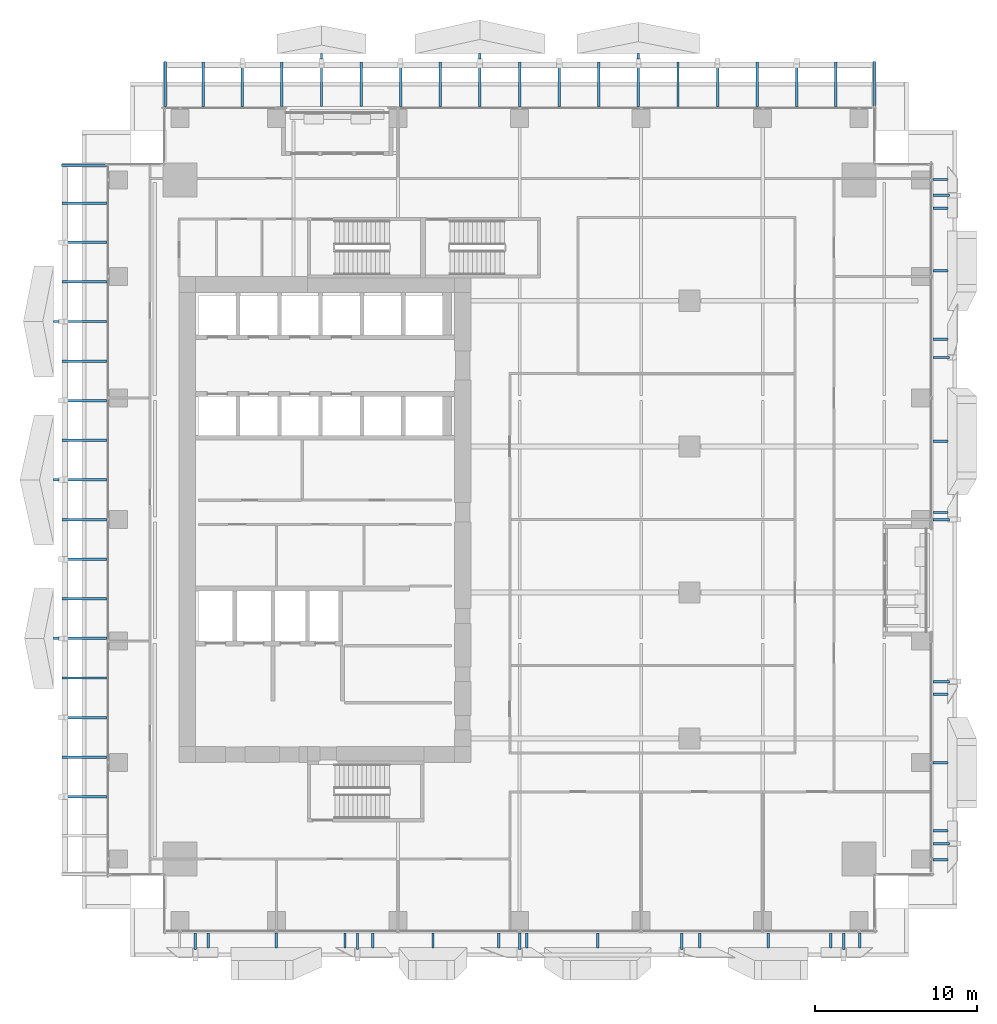
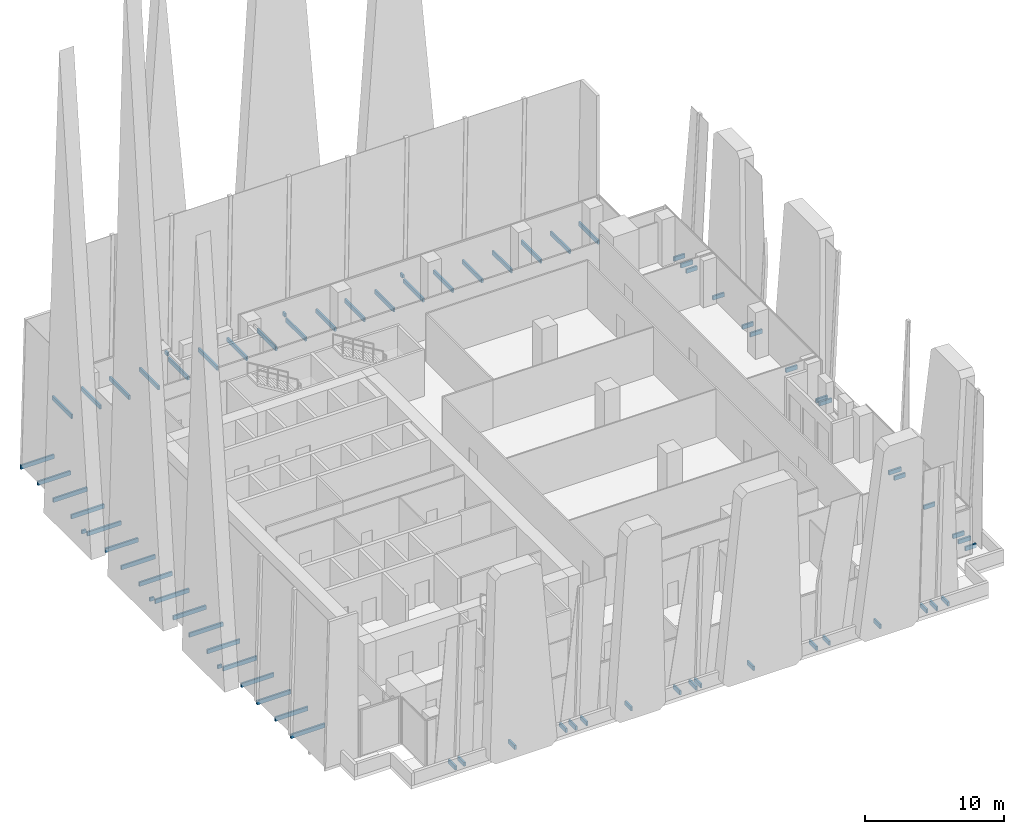
# One storey, part 32 of 37: 74 discrete accessories.
"""IFC4 building model written with IfcOpenShell, lengths in metres."""

from ifc_helpers import new_model, si_unit, direction, frame, origin, origin_2d, place, context, subcontext, project, spatial, rectangle, extrude, source, transform, mapped, material, type_object, element, save


model = new_model("IFC4")

# Units and contexts
model_context = context("Model", 3, precision=1e-05, world=origin(), true_north=direction((0.0, 1.0)))
body_context = subcontext(model_context, "Body", "Model", "MODEL_VIEW")
ifc_project = project(units=[si_unit("LENGTHUNIT", "METRE"), si_unit("AREAUNIT", "SQUARE_METRE"), si_unit("VOLUMEUNIT", "CUBIC_METRE"), si_unit("PLANEANGLEUNIT", "RADIAN"), si_unit("MASSUNIT", "GRAM", prefix="KILO")], contexts=[model_context])

# Site, building, storey
site_placement = place(None, origin())
site = spatial("IfcSite", under=ifc_project, at=site_placement, CompositionType="ELEMENT")
building_placement = place(site_placement, origin())
building = spatial("IfcBuilding", under=site, at=building_placement, Name="Khomas Fold Tower", CompositionType="ELEMENT")
storey_placement = place(building_placement, frame((0.0, 0.0, 101.5)))
storey = spatial("IfcBuildingStorey", under=building, at=storey_placement, Name="L21", CompositionType="ELEMENT", Elevation=101.5)

# Discrete accessories
ifc_material = material(Name="Stainless steel", Category="steel")
discrete_accessory_type = type_object("IfcDiscreteAccessoryType", Name="SK-Stainless steel stone bracket", PredefinedType="BRACKET", material=ifc_material)
shared_shape_1 = source(origin(), body_context, "Body", "SweptSolid", [
    extrude(rectangle(XDim=0.926513671875, YDim=0.14990234375, at=origin_2d()), origin(), (0.0, 0.0, 1.0), 0.360107421875),
])
for number, where, z_axis, x_axis, name in (
    (1, (11.984619140625, 1.036865234375, -0.30029296875), (0.0, 0.0, 1.0), (0.0, -1.0, 0.0), "Stone bracket L21 SS03-1-1"),
    (2, (21.66015625, 1.036865234375, -0.30029296875), (0.0, 0.0, 1.0), (0.0, -1.0, 0.0), "Stone bracket L21 SS06-2-1"),
    (3, (31.8291015625, 1.036865234375, -0.30029296875), (0.0, 0.0, 1.0), (0.0, -1.0, 0.0), "Stone bracket L21 SS09-3-1"),
    (4, (42.353515625, 1.036865234375, -0.30029296875), (0.0, 0.0, 1.0), (0.0, -1.0, 0.0), "Stone bracket L21 SS12-4-1"),
    (5, (52.963134765625, 11.984619140625, -0.30029296875), (0.0, 0.0, 1.0), (1.0, 0.0, 0.0), "Stone bracket L21 ES03-1-1"),
    (6, (52.963134765625, 31.8349609375, -0.30029296875), (0.0, 0.0, 1.0), (1.0, 0.0, 0.0), "Stone bracket L21 ES09-2-1"),
    (7, (52.963134765625, 42.353515625, -0.30029296875), (0.0, 0.0, 1.0), (1.0, 0.0, 0.0), "Stone bracket L21 ES12-3-1"),
    (8, (7.784912109375, 1.036865234375, -0.30029296875), (0.0, 0.0, 1.0), (0.0, -1.0, 0.0), "Stone bracket L21 SG099-3-1"),
    (9, (16.23095703125, 1.036865234375, -0.30029296875), (0.0, 0.0, 1.0), (0.0, -1.0, 0.0), "Stone bracket L21 SG100-4-1"),
    (10, (17.951904296875, 1.036865234375, -0.30029296875), (0.0, 0.0, 1.0), (0.0, -1.0, 0.0), "Stone bracket L21 SG101-6-1"),
    (11, (25.7138671875, 1.036865234375, -0.30029296875), (0.0, 0.0, 1.0), (0.0, -1.0, 0.0), "Stone bracket L21 SG102-7-1"),
    (12, (27.435302734375, 1.036865234375, -0.30029296875), (0.0, 0.0, 1.0), (0.0, -1.0, 0.0), "Stone bracket L21 SG103-9-1"),
    (13, (38.114013671875, 1.036865234375, -0.30029296875), (0.0, 0.0, 1.0), (0.0, -1.0, 0.0), "Stone bracket L21 SG105-11-1"),
    (14, (46.215087890625, 1.036865234375, -0.30029296875), (0.0, 0.0, 1.0), (0.0, -1.0, 0.0), "Stone bracket L21 SG106-12-1"),
    (15, (47.98486328125, 1.036865234375, -0.30029296875), (0.0, 0.0, 1.0), (0.0, -1.0, 0.0), "Stone bracket L21 SG107-14-1"),
    (16, (52.963134765625, 6.01513671875, -0.30029296875), (0.0, 0.0, 1.0), (1.0, 0.0, 0.0), "Stone bracket L21 EG098-1-1"),
    (17, (52.963134765625, 7.784912109375, -0.30029296875), (0.0, 0.0, 1.0), (1.0, 0.0, 0.0), "Stone bracket L21 EG099-3-1"),
    (18, (52.963134765625, 16.23095703125, -0.30029296875), (0.0, 0.0, 1.0), (1.0, 0.0, 0.0), "Stone bracket L21 EG100-4-1"),
    (19, (52.963134765625, 27.435546875, -0.30029296875), (0.0, 0.0, 1.0), (1.0, 0.0, 0.0), "Stone bracket L21 EG103-7-1"),
    (20, (52.963134765625, 38.114013671875, -0.30029296875), (0.0, 0.0, 1.0), (1.0, 0.0, 0.0), "Stone bracket L21 EG105-9-1"),
    (21, (52.963134765625, 46.215087890625, -0.30029296875), (0.0, 0.0, 1.0), (1.0, 0.0, 0.0), "Stone bracket L21 EG106-10-1"),
    (22, (52.963134765625, 47.98486328125, -0.30029296875), (0.0, 0.0, 1.0), (1.0, 0.0, 0.0), "Stone bracket L21 EG107-12-1"),
):
    element("IfcDiscreteAccessory", number, at=place(storey_placement, frame(where, z_axis=z_axis, x_axis=x_axis)), inside=storey, type_object=discrete_accessory_type, Name=name, PredefinedType="BRACKET", context=body_context, shape_type="MappedRepresentation", body=[
        mapped(shared_shape_1, transform((0.0, 0.0, 0.0))),
    ])
shared_shape_2 = source(origin(), body_context, "Body", "SweptSolid", [
    extrude(rectangle(XDim=1.021484375, YDim=0.14990234375, at=origin_2d()), origin(), (0.0, 0.0, 1.0), 0.360107421875),
])
for number, where, z_axis, x_axis, name in (
    (23, (7.0, 0.9892578125, -0.30029296875), (0.0, 0.0, 1.0), (0.0, -1.0, 0.0), "Stone bracket L21 SM099-2-1"),
    (24, (17.0, 0.9892578125, -0.30029296875), (0.0, 0.0, 1.0), (0.0, -1.0, 0.0), "Stone bracket L21 SM101-5-1"),
    (25, (27.0, 0.9892578125, -0.30029296875), (0.0, 0.0, 1.0), (0.0, -1.0, 0.0), "Stone bracket L21 SM103-8-1"),
    (26, (37.0, 0.9892578125, -0.30029296875), (0.0, 0.0, 1.0), (0.0, -1.0, 0.0), "Stone bracket L21 SM105-10-1"),
    (27, (47.0, 0.9892578125, -0.30029296875), (0.0, 0.0, 1.0), (0.0, -1.0, 0.0), "Stone bracket L21 SM107-13-1"),
    (28, (53.0107421875, 7.0, -0.30029296875), (0.0, 0.0, 1.0), (1.0, 0.0, 0.0), "Stone bracket L21 EM099-2-1"),
    (29, (53.0107421875, 17.0, -0.30029296875), (0.0, 0.0, 1.0), (1.0, 0.0, 0.0), "Stone bracket L21 EM101-5-1"),
    (30, (53.0107421875, 27.0, -0.30029296875), (0.0, 0.0, 1.0), (1.0, 0.0, 0.0), "Stone bracket L21 EM103-6-1"),
    (31, (53.0107421875, 37.0, -0.30029296875), (0.0, 0.0, 1.0), (1.0, 0.0, 0.0), "Stone bracket L21 EM105-8-1"),
    (32, (53.0107421875, 47.0, -0.30029296875), (0.0, 0.0, 1.0), (1.0, 0.0, 0.0), "Stone bracket L21 EM107-11-1"),
):
    element("IfcDiscreteAccessory", number, at=place(storey_placement, frame(where, z_axis=z_axis, x_axis=x_axis)), inside=storey, type_object=discrete_accessory_type, Name=name, PredefinedType="BRACKET", context=body_context, shape_type="MappedRepresentation", body=[
        mapped(shared_shape_2, transform((0.0, 0.0, 0.0))),
    ])
shared_shape_3 = source(origin(), body_context, "Body", "SweptSolid", [
    extrude(rectangle(XDim=2.72412109375, YDim=0.14990234375, at=origin_2d()), origin(), (0.0, 0.0, 1.0), 0.360107421875),
])
for number, where, z_axis, x_axis, name in (
    (33, (7.494384765625, 53.862060546875, -0.30029296875), (0.0, 0.0, 1.0), (0.0, 1.0, 0.0), "Stone bracket L21 PLNG01"),
    (34, (12.333251953125, 53.862060546875, -0.30029296875), (0.0, 0.0, 1.0), (0.0, 1.0, 0.0), "Stone bracket L21 PLNG03"),
    (35, (17.22216796875, 53.862060546875, -0.30029296875), (0.0, 0.0, 1.0), (0.0, 1.0, 0.0), "Stone bracket L21 PLNG05"),
    (36, (22.111083984375, 53.862060546875, -0.30029296875), (0.0, 0.0, 1.0), (0.0, 1.0, 0.0), "Stone bracket L21 PLNG07"),
    (37, (27.0, 53.862060546875, -0.30029296875), (0.0, 0.0, 1.0), (0.0, 1.0, 0.0), "Stone bracket L21 PLNG09"),
    (38, (31.888916015625, 53.862060546875, -0.30029296875), (0.0, 0.0, 1.0), (0.0, 1.0, 0.0), "Stone bracket L21 PLNG11"),
    (39, (36.77783203125, 53.862060546875, -0.30029296875), (0.0, 0.0, 1.0), (0.0, 1.0, 0.0), "Stone bracket L21 PLNG13"),
    (40, (41.666748046875, 53.862060546875, -0.30029296875), (0.0, 0.0, 1.0), (0.0, 1.0, 0.0), "Stone bracket L21 PLNG15"),
    (41, (46.505615234375, 53.862060546875, -0.30029296875), (0.0, 0.0, 1.0), (0.0, 1.0, 0.0), "Stone bracket L21 PLNG17"),
    (42, (0.137939453125, 12.333251953125, -0.30029296875), (0.0, 0.0, 1.0), (-1.0, 0.0, 0.0), "Stone bracket L21 PLWG03"),
    (43, (0.137939453125, 17.22216796875, -0.30029296875), (0.0, 0.0, 1.0), (-1.0, 0.0, 0.0), "Stone bracket L21 PLWG05"),
    (44, (0.137939453125, 22.111083984375, -0.30029296875), (0.0, 0.0, 1.0), (-1.0, 0.0, 0.0), "Stone bracket L21 PLWG07"),
    (45, (0.137939453125, 27.0, -0.30029296875), (0.0, 0.0, 1.0), (-1.0, 0.0, 0.0), "Stone bracket L21 PLWG09"),
    (46, (0.137939453125, 31.888916015625, -0.30029296875), (0.0, 0.0, 1.0), (-1.0, 0.0, 0.0), "Stone bracket L21 PLWG11"),
    (47, (0.137939453125, 36.77783203125, -0.30029296875), (0.0, 0.0, 1.0), (-1.0, 0.0, 0.0), "Stone bracket L21 PLWG13"),
    (48, (0.137939453125, 41.666748046875, -0.30029296875), (0.0, 0.0, 1.0), (-1.0, 0.0, 0.0), "Stone bracket L21 PLWG15"),
    (49, (0.137939453125, 46.505615234375, -0.30029296875), (0.0, 0.0, 1.0), (-1.0, 0.0, 0.0), "Stone bracket L21 PLWG17"),
):
    element("IfcDiscreteAccessory", number, at=place(storey_placement, frame(where, z_axis=z_axis, x_axis=x_axis)), inside=storey, type_object=discrete_accessory_type, Name=name, PredefinedType="BRACKET", context=body_context, shape_type="MappedRepresentation", body=[
        mapped(shared_shape_3, transform((0.0, 0.0, 0.0))),
    ])
shared_shape_4 = source(origin(), body_context, "Body", "SweptSolid", [
    extrude(rectangle(XDim=2.8193359375, YDim=0.14990234375, at=origin_2d()), origin(), (0.0, 0.0, 1.0), 0.360107421875),
])
for number, where, z_axis, x_axis, name in (
    (50, (9.888916015625, 53.90966796875, -0.30029296875), (0.0, 0.0, 1.0), (0.0, 1.0, 0.0), "Stone bracket L21 PLNM02"),
    (51, (14.77783203125, 53.90966796875, -0.30029296875), (0.0, 0.0, 1.0), (0.0, 1.0, 0.0), "Stone bracket L21 PLNM04"),
    (52, (19.666748046875, 53.90966796875, -0.30029296875), (0.0, 0.0, 1.0), (0.0, 1.0, 0.0), "Stone bracket L21 PLNM06"),
    (53, (24.5556640625, 53.90966796875, -0.30029296875), (0.0, 0.0, 1.0), (0.0, 1.0, 0.0), "Stone bracket L21 PLNM08"),
    (54, (29.4443359375, 53.90966796875, -0.30029296875), (0.0, 0.0, 1.0), (0.0, 1.0, 0.0), "Stone bracket L21 PLNM10"),
    (55, (34.333251953125, 53.90966796875, -0.30029296875), (0.0, 0.0, 1.0), (0.0, 1.0, 0.0), "Stone bracket L21 PLNM12"),
    (56, (39.22216796875, 53.90966796875, -0.30029296875), (0.0, 0.0, 1.0), (0.0, 1.0, 0.0), "Stone bracket L21 PLNM14"),
    (57, (44.111083984375, 53.90966796875, -0.30029296875), (0.0, 0.0, 1.0), (0.0, 1.0, 0.0), "Stone bracket L21 PLNM16"),
    (58, (0.09033203125, 9.888916015625, -0.30029296875), (0.0, 0.0, 1.0), (-1.0, 0.0, 0.0), "Stone bracket L21 PLWM02"),
    (59, (0.09033203125, 14.77783203125, -0.30029296875), (0.0, 0.0, 1.0), (-1.0, 0.0, 0.0), "Stone bracket L21 PLWM04"),
    (60, (0.09033203125, 19.666748046875, -0.30029296875), (0.0, 0.0, 1.0), (-1.0, 0.0, 0.0), "Stone bracket L21 PLWM06"),
    (61, (0.09033203125, 24.5556640625, -0.30029296875), (0.0, 0.0, 1.0), (-1.0, 0.0, 0.0), "Stone bracket L21 PLWM08"),
    (62, (0.09033203125, 29.4443359375, -0.30029296875), (0.0, 0.0, 1.0), (-1.0, 0.0, 0.0), "Stone bracket L21 PLWM10"),
    (63, (0.09033203125, 34.333251953125, -0.30029296875), (0.0, 0.0, 1.0), (-1.0, 0.0, 0.0), "Stone bracket L21 PLWM12"),
    (64, (0.09033203125, 39.22216796875, -0.30029296875), (0.0, 0.0, 1.0), (-1.0, 0.0, 0.0), "Stone bracket L21 PLWM14"),
    (65, (0.09033203125, 44.111083984375, -0.30029296875), (0.0, 0.0, 1.0), (-1.0, 0.0, 0.0), "Stone bracket L21 PLWM16"),
):
    element("IfcDiscreteAccessory", number, at=place(storey_placement, frame(where, z_axis=z_axis, x_axis=x_axis)), inside=storey, type_object=discrete_accessory_type, Name=name, PredefinedType="BRACKET", context=body_context, shape_type="MappedRepresentation", body=[
        mapped(shared_shape_4, transform((0.0, 0.0, 0.0))),
    ])
shared_shape_5 = source(origin(), body_context, "Body", "SweptSolid", [
    extrude(rectangle(XDim=2.76416015625, YDim=0.14990234375, at=origin_2d()), origin(), (0.0, 0.0, 1.0), 0.360107421875),
])
for number, where, z_axis, x_axis, name in (
    (66, (5.125, 53.882080078125, -0.30029296875), (0.0, 0.0, 1.0), (0.0, 1.0, 0.0), "Stone bracket L21 PLNR1"),
    (67, (48.875, 53.882080078125, -0.30029296875), (0.0, 0.0, 1.0), (0.0, 1.0, 0.0), "Stone bracket L21 PLNR2"),
    (68, (0.117919921875, 48.875, -0.30029296875), (0.0, 0.0, 1.0), (-1.0, 0.0, 0.0), "Stone bracket L21 PLWR2"),
):
    element("IfcDiscreteAccessory", number, at=place(storey_placement, frame(where, z_axis=z_axis, x_axis=x_axis)), inside=storey, type_object=discrete_accessory_type, Name=name, PredefinedType="BRACKET", context=body_context, shape_type="MappedRepresentation", body=[
        mapped(shared_shape_5, transform((0.0, 0.0, 0.0))),
    ])
shared_shape_6 = source(origin(), body_context, "Body", "SweptSolid", [
    extrude(rectangle(XDim=0.360107421875, YDim=0.14990234375, at=origin_2d()), origin(), (0.0, 0.0, 1.0), 0.300048828125),
])
for number, where, z_axis, x_axis, name in (
    (69, (14.77783203125, 55.593505859375, 0.0498046875), (0.0, 0.0, 1.0), (0.0, 1.0, 0.0), "Stone bracket L21 blade NZ2-1"),
    (70, (24.5556640625, 55.593505859375, 0.0498046875), (0.0, 0.0, 1.0), (0.0, 1.0, 0.0), "Stone bracket L21 blade NZ2-2"),
    (71, (34.333251953125, 55.593505859375, 0.0498046875), (0.0, 0.0, 1.0), (0.0, 1.0, 0.0), "Stone bracket L21 blade NZ2-3"),
    (72, (-1.593505859375, 19.666748046875, 0.0498046875), (0.0, 0.0, 1.0), (-1.0, 0.0, 0.0), "Stone bracket L21 blade WZ2-1"),
    (73, (-1.593505859375, 29.4443359375, 0.0498046875), (0.0, 0.0, 1.0), (-1.0, 0.0, 0.0), "Stone bracket L21 blade WZ2-2"),
    (74, (-1.593505859375, 39.22216796875, 0.0498046875), (0.0, 0.0, 1.0), (-1.0, 0.0, 0.0), "Stone bracket L21 blade WZ2-3"),
):
    element("IfcDiscreteAccessory", number, at=place(storey_placement, frame(where, z_axis=z_axis, x_axis=x_axis)), inside=storey, type_object=discrete_accessory_type, Name=name, PredefinedType="BRACKET", context=body_context, shape_type="MappedRepresentation", body=[
        mapped(shared_shape_6, transform((0.0, 0.0, 0.0))),
    ])

save(model, "model.ifc")
